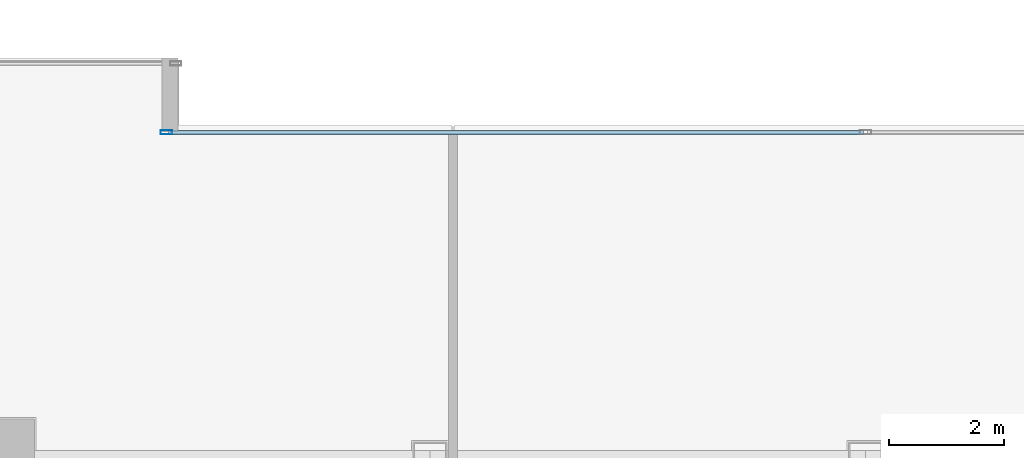
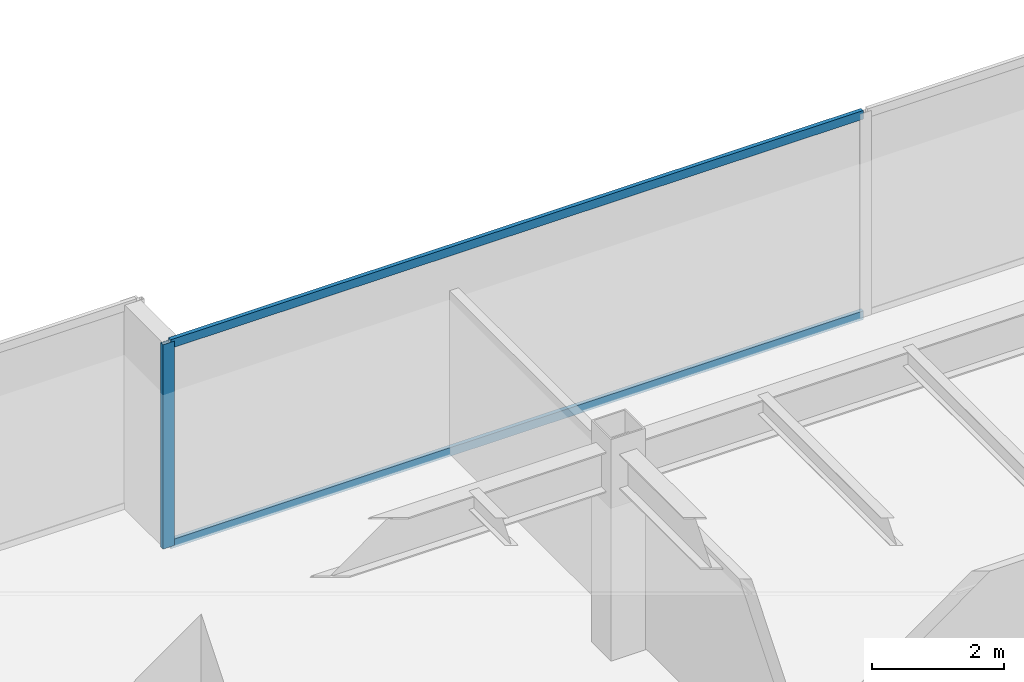
# One storey, part 14 of 37: 3 members, 1 element without a shape of its own.
"""IFC4 building model written with IfcOpenShell, lengths in metres."""

from ifc_helpers import new_model, si_unit, direction, frame, origin, origin_2d, place, context, subcontext, project, spatial, hollow_rectangle, extrude, source, transform, mapped, material, layer, layer_set, material_profile, profile_set, type_object, type_shapes, element, aggregate, save


model = new_model("IFC4")

# Units and contexts
model_context = context("Model", 3, precision=1e-05, world=origin(), true_north=direction((0.0, 1.0)))
body_context = subcontext(model_context, "Body", "Model", "MODEL_VIEW")
ifc_project = project(units=[si_unit("LENGTHUNIT", "METRE"), si_unit("AREAUNIT", "SQUARE_METRE"), si_unit("VOLUMEUNIT", "CUBIC_METRE"), si_unit("PLANEANGLEUNIT", "RADIAN"), si_unit("MASSUNIT", "GRAM", prefix="KILO")], contexts=[model_context])

# Site, building, storey
site_placement = place(None, origin())
site = spatial("IfcSite", under=ifc_project, at=site_placement, CompositionType="ELEMENT")
building_placement = place(site_placement, origin())
building = spatial("IfcBuilding", under=site, at=building_placement, Name="Haelvirn Gate Laboratories", CompositionType="ELEMENT")
storey_placement = place(building_placement, frame((0.0, 0.0, 74.39990234375)))
storey = spatial("IfcBuildingStorey", under=building, at=storey_placement, Name="L18", CompositionType="ELEMENT", Elevation=74.39990234375)

# Curtain wall, members
ifc_material_1 = material(Name="Anodised bronze unitised aluminium & triple low-E glass", Category="aluminium")
ifc_layer = layer(ifc_material_1, 0.18408203125, Name="CW-SYS-2")
ifc_layer_set = layer_set([ifc_layer], Name="Anodised bronze unitised aluminium & triple low-E glass")
curtain_wall_type = type_object("IfcCurtainWallType", Name="CW-SYS-2", PredefinedType="NOTDEFINED", material=ifc_layer_set)
curtain_wall_placement = place(storey_placement, origin())
curtain_wall = element("IfcCurtainWall", 1, at=curtain_wall_placement, inside=storey, type_object=curtain_wall_type, Name="L18 Unitised Curtain Wall CW-L18-P0-E12-1", PredefinedType="NOTDEFINED")
ifc_material_2 = material(Name="Extruded aluminium 6063-T6 (anodised bronze)", Category="aluminium")
ifc_material_profile_1 = material_profile(ifc_material_2, hollow_rectangle(XDim=0.074951171875, YDim=0.199951171875, WallThickness=0.0048828125, at=origin_2d()), Name="CWM-200x75x5")
ifc_profile_set_1 = profile_set([ifc_material_profile_1], Name="Extruded aluminium 6063-T6 (anodised bronze)")
member_type_1 = type_object("IfcMemberType", Name="CWM-T200", PredefinedType="MULLION", material=ifc_profile_set_1)
shared_shape_1 = source(origin(), body_context, "Body", "SweptSolid", [
    extrude(hollow_rectangle(XDim=0.074951171875, YDim=0.199951171875, WallThickness=0.0048828125, at=origin_2d()), origin(), (0.0, 0.0, 1.0), 3.780029296875),
])
type_shapes(member_type_1, [shared_shape_1])
member_1_placement = place(storey_placement, frame((25.197509765625, 47.300048828125, 0.0), z_axis=(0.0, 0.0, 1.0), x_axis=(0.0, 1.0, 0.0)))
member_1 = element("IfcMember", 2, at=member_1_placement, type_object=member_type_1, Name="CW2 mullion 1", PredefinedType="MULLION", context=body_context, shape_type="MappedRepresentation", body=[
    mapped(shared_shape_1, transform((0.0, 0.0, 0.0), scale=1.0)),
])
ifc_material_profile_2 = material_profile(ifc_material_2, hollow_rectangle(XDim=0.070068359375, YDim=0.159912109375, WallThickness=0.0048828125, at=origin_2d()), Name="CWT-160x70x5")
ifc_profile_set_2 = profile_set([ifc_material_profile_2], Name="Extruded aluminium 6063-T6 (anodised bronze)")
member_type_2 = type_object("IfcMemberType", Name="CWT-T160", PredefinedType="USERDEFINED", material=ifc_profile_set_2)
shared_shape_2 = source(origin(), body_context, "Body", "SweptSolid", [
    extrude(hollow_rectangle(XDim=0.070068359375, YDim=0.159912109375, WallThickness=0.0048828125, at=origin_2d()), origin(), (0.0, 0.0, 1.0), 12.12744140625),
])
type_shapes(member_type_2, [shared_shape_2])
member_2_placement = place(storey_placement, frame((25.235107421875, 47.300048828125, 0.03515625), z_axis=(1.0, 0.0, 0.0), x_axis=(0.0, 1.0, 0.0)))
member_2 = element("IfcMember", 3, at=member_2_placement, type_object=member_type_2, Name="CW2 transom 1.1", ObjectType="TRANSOM", PredefinedType="USERDEFINED", context=body_context, shape_type="MappedRepresentation", body=[
    mapped(shared_shape_2, transform((0.0, 0.0, 0.0), scale=1.0)),
])
member_3_placement = place(storey_placement, frame((25.235107421875, 47.300048828125, 3.7451171875), z_axis=(1.0, 0.0, 0.0), x_axis=(0.0, 1.0, 0.0)))
member_3 = element("IfcMember", 4, at=member_3_placement, type_object=member_type_2, Name="CW2 transom 1.2", ObjectType="TRANSOM", PredefinedType="USERDEFINED", context=body_context, shape_type="MappedRepresentation", body=[
    mapped(shared_shape_2, transform((0.0, 0.0, 0.0), scale=1.0)),
])
aggregate(curtain_wall, [member_1, member_2, member_3])

save(model, "model.ifc")
